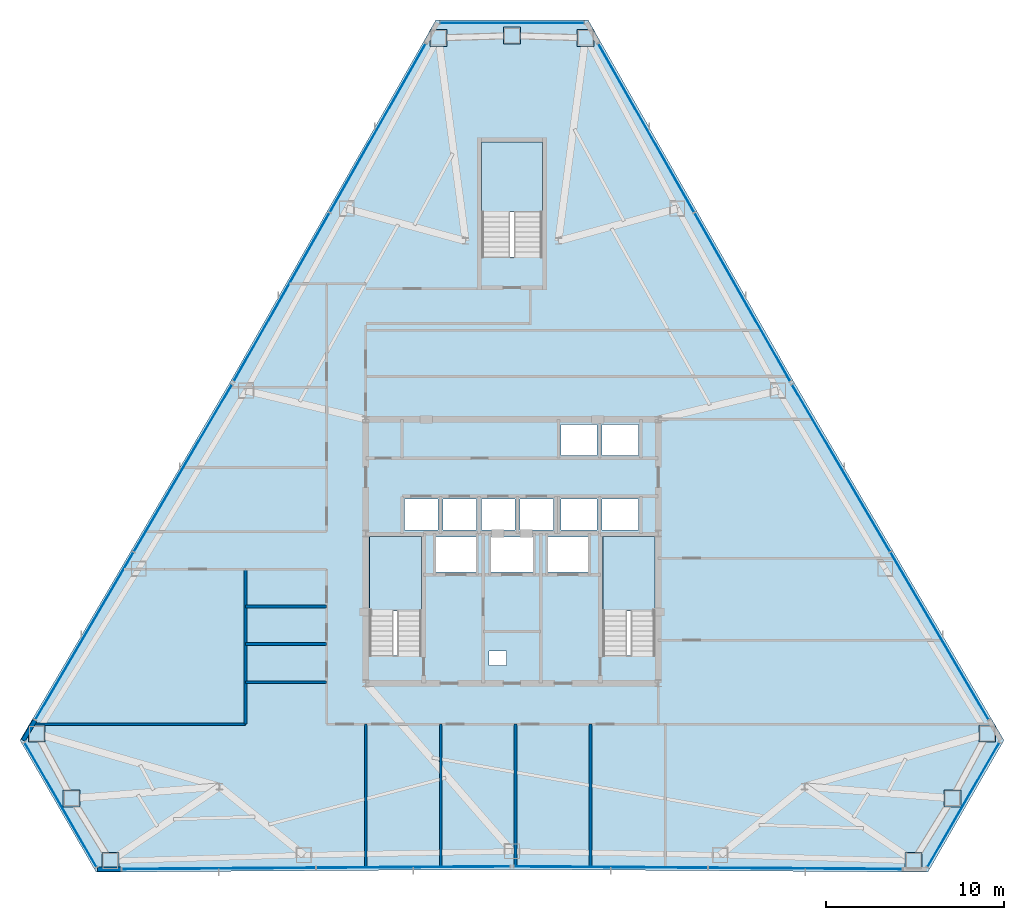
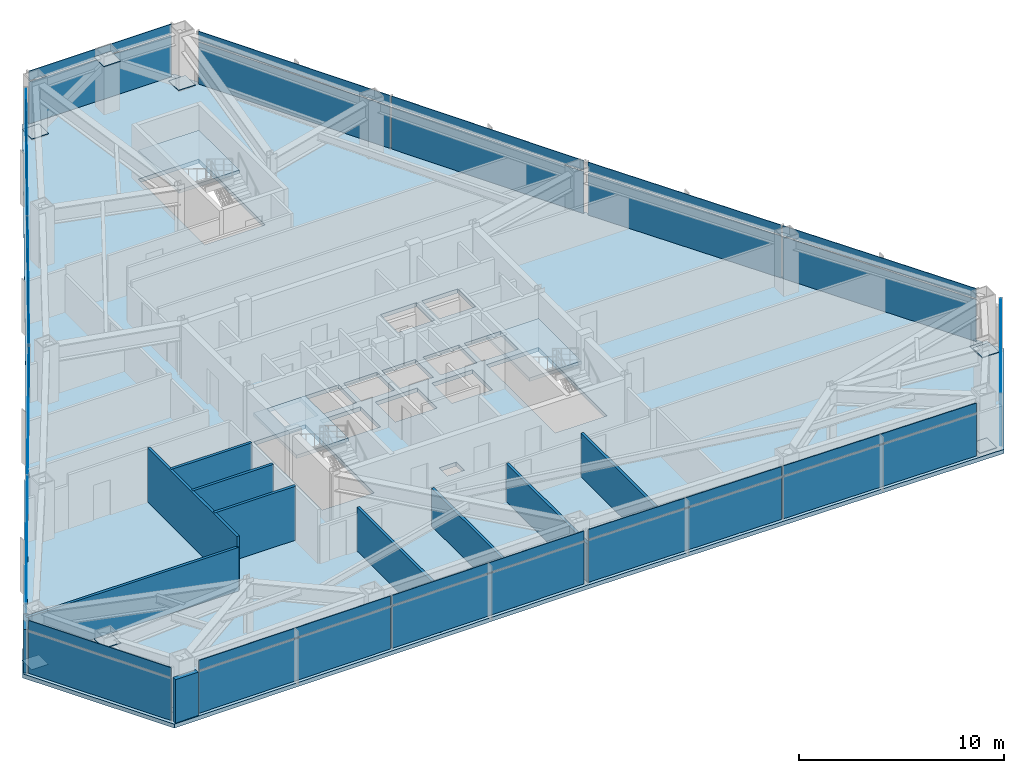
# One storey, part 9 of 13: 39 plates, 11 walls, 4 slabs, 12 elements without a shape of their own.
"""IFC4 building model written with IfcOpenShell, lengths in metres."""

import ifcopenshell
import ifcopenshell.guid

model = None  # the IFC model being written
_history = None  # IfcOwnerHistory: only IFC2X3 demands one
_inside = {}  # id of a spatial element -> (the spatial element, [elements in it])
_under = {}  # id of a project, library or spatial element -> (it, [spatial elements below it])
_declared = {}  # id of a project -> (the project, [libraries it declares])
_typed = {}  # id of a type object -> (the type object, [elements of that type])
_made_of = {}  # id of a material, layer set ... -> (it, [elements and type objects made of it])


def new_model(schema):
    """Start an empty IFC model of exactly this schema.

    Asked for "IFC4X3", IfcOpenShell would pick the latest addendum, in which some entities
    have other attributes; the version numbers below select the first issue.
    IFC2X3 requires an IfcOwnerHistory on every rooted entity: one is made here for all.
    """
    global model, _history
    if schema == "IFC4X3":
        model = ifcopenshell.file(schema_version=(4, 3, 0, 0))
    else:
        model = ifcopenshell.file(schema=schema)
    _inside.clear()
    _under.clear()
    _declared.clear()
    _typed.clear()
    _made_of.clear()
    _history = None
    if model.schema == "IFC2X3":
        org = make("IfcOrganization", Name="unknown")
        user = make(
            "IfcPersonAndOrganization",
            ThePerson=make("IfcPerson", FamilyName="unknown"),
            TheOrganization=org,
        )
        app = make(
            "IfcApplication",
            ApplicationDeveloper=org,
            Version="unknown",
            ApplicationFullName="unknown",
            ApplicationIdentifier="unknown",
        )
        _history = make(
            "IfcOwnerHistory",
            OwningUser=user,
            OwningApplication=app,
            ChangeAction="ADDED",
            CreationDate=0,
        )
    return model


def make(cls, **values):
    """One entity of the class cls with the attributes given. An attribute that is None is left unset."""
    return model.create_entity(
        cls, **{name: value for name, value in values.items() if value is not None}
    )


def rooted(cls, **values):
    """An entity with a GlobalId (a new one), such as an element, a storey or a relation."""
    return make(cls, GlobalId=ifcopenshell.guid.new(), OwnerHistory=_history, **values)


def si_unit(unit_type, name, prefix=None):
    """IfcSIUnit, for example si_unit("LENGTHUNIT", "METRE", prefix="MILLI")."""
    return make("IfcSIUnit", UnitType=unit_type, Prefix=prefix, Name=name)


def assignment(units):
    """IfcUnitAssignment: the units of a project."""
    return None if units is None else make("IfcUnitAssignment", Units=units)


def point(xyz):
    """IfcCartesianPoint."""
    return None if xyz is None else make("IfcCartesianPoint", Coordinates=xyz)


def direction(xyz):
    """IfcDirection."""
    return None if xyz is None else make("IfcDirection", DirectionRatios=xyz)


def frame(location, z_axis=None, x_axis=None):
    """IfcAxis2Placement3D, a coordinate frame: its origin and axes. An axis left out is left unset."""
    return make(
        "IfcAxis2Placement3D",
        Location=point(location),
        Axis=direction(z_axis),
        RefDirection=direction(x_axis),
    )


def frame_2d(location, x_axis=None):
    """IfcAxis2Placement2D, a coordinate frame in the plane: its origin and x axis."""
    return make(
        "IfcAxis2Placement2D", Location=point(location), RefDirection=direction(x_axis)
    )


def origin():
    """The frame at (0, 0, 0) with its axes left unset."""
    return frame((0.0, 0.0, 0.0))


def origin_2d():
    """The frame at (0, 0) in the plane with its x axis left unset."""
    return frame_2d((0.0, 0.0))


def place(relative_to, where):
    """IfcLocalPlacement: puts the frame where relative to a parent placement (None: the world)."""
    return make(
        "IfcLocalPlacement", PlacementRelTo=relative_to, RelativePlacement=where
    )


def context(
    kind, dimensions, precision=None, world=None, true_north=None, identifier=None
):
    """IfcGeometricRepresentationContext, for example the 3D "Model" context."""
    return make(
        "IfcGeometricRepresentationContext",
        ContextIdentifier=identifier,
        ContextType=kind,
        CoordinateSpaceDimension=dimensions,
        Precision=precision,
        WorldCoordinateSystem=world,
        TrueNorth=true_north,
    )


def subcontext(parent, identifier, kind, view, scale=None):
    """IfcGeometricRepresentationSubContext, for example "Body" below "Model"."""
    return make(
        "IfcGeometricRepresentationSubContext",
        ContextIdentifier=identifier,
        ContextType=kind,
        ParentContext=parent,
        TargetScale=scale,
        TargetView=view,
    )


def project(units=None, contexts=None):
    """IfcProject with its units and contexts."""
    return rooted(
        "IfcProject",
        Name="project",
        RepresentationContexts=contexts,
        UnitsInContext=assignment(units),
    )


def spatial(cls, under=None, at=None, **own):
    """A site, building, storey or space (cls), placed at a placement, below another one or the project."""
    s = rooted(cls, ObjectPlacement=at, **own)
    if under is not None:
        _under.setdefault(under.id(), (under, []))[1].append(s)
    return s


def polyline(points):
    """IfcPolyline through the points."""
    return make("IfcPolyline", Points=[point(p) for p in points])


def profile(cls, at=None, kind="AREA", **sizes):
    """A parametric profile (cls). Its sizes go by their IFC names, for example OverallWidth=200.0."""
    return make(cls, ProfileType=kind, Position=at, **sizes)


def rectangle(**sizes):
    """IfcRectangleProfileDef."""
    return profile("IfcRectangleProfileDef", **sizes)


def outline(outer, holes=None, kind="AREA"):
    """IfcArbitraryClosedProfileDef: a profile drawn as a closed curve; with holes, ...WithVoids."""
    if holes is None:
        return make("IfcArbitraryClosedProfileDef", ProfileType=kind, OuterCurve=outer)
    return make(
        "IfcArbitraryProfileDefWithVoids",
        ProfileType=kind,
        OuterCurve=outer,
        InnerCurves=holes,
    )


def extrude(swept, where, along, depth):
    """IfcExtrudedAreaSolid: the profile swept, set in the frame where, extruded along a direction by depth."""
    return make(
        "IfcExtrudedAreaSolid",
        SweptArea=swept,
        Position=where,
        ExtrudedDirection=direction(along),
        Depth=depth,
    )


def shape(context_of_items, identifier, shape_type, items):
    """IfcShapeRepresentation: the items that make up one representation, for example the "Body"."""
    return make(
        "IfcShapeRepresentation",
        ContextOfItems=context_of_items,
        RepresentationIdentifier=identifier,
        RepresentationType=shape_type,
        Items=items,
    )


def source(mapping_origin, context_of_items, identifier, shape_type, items):
    """IfcRepresentationMap: a shape defined once, which mapped items show again and again."""
    return make(
        "IfcRepresentationMap",
        MappingOrigin=mapping_origin,
        MappedRepresentation=shape(context_of_items, identifier, shape_type, items),
    )


def transform(
    local_origin,
    x_axis=None,
    y_axis=None,
    z_axis=None,
    scale=None,
    scale2=None,
    scale3=None,
    uniform=True,
):
    """IfcCartesianTransformationOperator3D, or its non-uniform kind. x_axis, y_axis, z_axis: its Axis1, 2, 3."""
    if uniform:
        return make(
            "IfcCartesianTransformationOperator3D",
            Axis1=direction(x_axis),
            Axis2=direction(y_axis),
            LocalOrigin=point(local_origin),
            Scale=scale,
            Axis3=direction(z_axis),
        )
    return make(
        "IfcCartesianTransformationOperator3DnonUniform",
        Axis1=direction(x_axis),
        Axis2=direction(y_axis),
        LocalOrigin=point(local_origin),
        Scale=scale,
        Axis3=direction(z_axis),
        Scale2=scale2,
        Scale3=scale3,
    )


def mapped(mapping_source, mapping_target):
    """IfcMappedItem: shows the shape of a source again, moved by a transform."""
    return make(
        "IfcMappedItem", MappingSource=mapping_source, MappingTarget=mapping_target
    )


def material(Name=None, Category=None):
    """IfcMaterial."""
    return make("IfcMaterial", Name=Name, Category=Category)


def layer(
    of_material, thickness, ventilated=None, Name=None, Category=None, Priority=None
):
    """IfcMaterialLayer: one layer of a wall or slab, of a material (None: an air gap)."""
    return make(
        "IfcMaterialLayer",
        Material=of_material,
        LayerThickness=thickness,
        IsVentilated=ventilated,
        Name=Name,
        Category=Category,
        Priority=Priority,
    )


def layer_set(layers, Name=None):
    """IfcMaterialLayerSet."""
    return make("IfcMaterialLayerSet", MaterialLayers=layers, LayerSetName=Name)


def made_of(thing, what):
    """Note that an element or type object is made of a material, layer set ...; save() writes the relation."""
    if what is not None:
        _made_of.setdefault(what.id(), (what, []))[1].append(thing)
    return thing


def type_object(cls, material=None, **own):
    """A type object (cls), such as IfcWallType, which elements share."""
    return made_of(rooted(cls, **own), material)


def type_shapes(of_type, sources):
    """Give a type object the sources (RepresentationMaps) that its elements show as mapped items."""
    of_type.RepresentationMaps = sources


def element(
    cls,
    number,
    at=None,
    inside=None,
    cuts=None,
    type_object=None,
    material=None,
    context=None,
    identifier="Body",
    shape_type=None,
    held_by="IfcProductDefinitionShape",
    body=None,
    shapes=None,
    **own,
):
    """One element of the class cls, such as IfcWall. Its Tag is "e" and its number.

    at: its placement. inside: the storey or other place that contains it. cuts: it is an
    opening in that element (IfcRelVoidsElement). A single representation is given by context,
    identifier, shape_type and body (its items); several are given by shapes. held_by: the class
    of the entity that holds the representations. save() writes the other relations.
    """
    e = rooted(cls, Tag="e%d" % number, ObjectPlacement=at, **own)
    if body is not None:
        shapes = [shape(context, identifier, shape_type, body)]
    if shapes is not None:
        e.Representation = make(held_by, Representations=shapes)
    if inside is not None:
        _inside.setdefault(inside.id(), (inside, []))[1].append(e)
    if cuts is not None:
        rooted(
            "IfcRelVoidsElement", RelatingBuildingElement=cuts, RelatedOpeningElement=e
        )
    if type_object is not None:
        _typed.setdefault(type_object.id(), (type_object, []))[1].append(e)
    return made_of(e, material)


def aggregate(whole, parts):
    """IfcRelAggregates: a whole, such as a stair, and the parts it consists of."""
    return rooted("IfcRelAggregates", RelatingObject=whole, RelatedObjects=parts)


def save(model, path):
    """Write the relations noted so far, then the file.

    IfcRelAggregates (storeys below a building ...), IfcRelContainedInSpatialStructure (elements
    in a storey), IfcRelDefinesByType, IfcRelAssociatesMaterial and IfcRelDeclares: one each for
    every whole, place, type object, material and project.
    """
    for whole, parts in _under.values():
        aggregate(whole, parts)
    for where, things in _inside.values():
        rooted(
            "IfcRelContainedInSpatialStructure",
            RelatedElements=things,
            RelatingStructure=where,
        )
    for kind, things in _typed.values():
        rooted("IfcRelDefinesByType", RelatedObjects=things, RelatingType=kind)
    for what, things in _made_of.values():
        rooted("IfcRelAssociatesMaterial", RelatedObjects=things, RelatingMaterial=what)
    for by, libraries in _declared.values():
        rooted("IfcRelDeclares", RelatingContext=by, RelatedDefinitions=libraries)
    model.write(path)


model = new_model("IFC4")

# Units and contexts
model_context = context("Model", 3, precision=1e-05, world=origin(), true_north=direction((0.0, 1.0)))
body_context = subcontext(model_context, "Body", "Model", "MODEL_VIEW")
ifc_project = project(units=[si_unit("LENGTHUNIT", "METRE"), si_unit("AREAUNIT", "SQUARE_METRE"), si_unit("VOLUMEUNIT", "CUBIC_METRE"), si_unit("PLANEANGLEUNIT", "RADIAN"), si_unit("MASSUNIT", "GRAM", prefix="KILO")], contexts=[model_context])

# Site, building, storey
site_placement = place(None, origin())
site = spatial("IfcSite", under=ifc_project, at=site_placement, CompositionType="ELEMENT")
building_placement = place(site_placement, origin())
building = spatial("IfcBuilding", under=site, at=building_placement, Name="Varakhsha Concourse Tower", CompositionType="ELEMENT")
storey_placement = place(building_placement, frame((0.0, 0.0, 133.25)))
storey = spatial("IfcBuildingStorey", under=building, at=storey_placement, Name="L38", CompositionType="ELEMENT", Elevation=133.25)

# Slab
ifc_material_1 = material(Name="Concrete fc 45 MPa", Category="concrete")
ifc_layer_1 = layer(ifc_material_1, 0.239990234375, Name="SL-FLR-240")
ifc_layer_set_1 = layer_set([ifc_layer_1], Name="Concrete fc 45 MPa")
slab_type_1 = type_object("IfcSlabType", Name="SL-FLR-240", PredefinedType="FLOOR", material=ifc_layer_set_1)
slab_1_placement = place(storey_placement, frame((0.0, 0.0, -0.239990234375)))
element("IfcSlab", 1, at=slab_1_placement, inside=storey, type_object=slab_type_1, Name="L38 Composite Structural Slab", PredefinedType="FLOOR", context=body_context, shape_type="SweptSolid", body=[
    extrude(outline(polyline([(44.271484375, 53.6015625), (35.728515625, 53.6015625), (24.2021484375, 33.32080078125), (12.401611328125, 13.198486328125), (16.673095703125, 5.800048828125), (40.0, 5.958251953125), (63.326904296875, 5.800048828125), (67.598388671875, 13.198486328125), (55.7978515625, 33.32080078125), (44.271484375, 53.6015625)]), holes=[polyline([(34.919921875, 17.93994140625), (34.919921875, 24.6298828125), (32.0, 24.6298828125), (32.0, 17.93994140625), (34.919921875, 17.93994140625)]), polyline([(48.02001953125, 17.93994140625), (48.02001953125, 24.6298828125), (45.10009765625, 24.6298828125), (45.10009765625, 17.93994140625), (48.02001953125, 17.93994140625)]), polyline([(41.699951171875, 40.300048828125), (41.699951171875, 46.75), (38.300048828125, 46.75), (38.300048828125, 40.300048828125), (41.699951171875, 40.300048828125)]), polyline([(33.9599609375, 25.0), (35.840087890625, 25.0), (35.840087890625, 26.739990234375), (33.9599609375, 26.739990234375), (33.9599609375, 25.0)]), polyline([(36.1201171875, 25.0), (38.0, 25.0), (38.0, 26.739990234375), (36.1201171875, 26.739990234375), (36.1201171875, 25.0)]), polyline([(38.280029296875, 25.0), (40.159912109375, 25.0), (40.159912109375, 26.739990234375), (38.280029296875, 26.739990234375), (38.280029296875, 25.0)]), polyline([(40.43994140625, 25.0), (42.320068359375, 25.0), (42.320068359375, 26.739990234375), (40.43994140625, 26.739990234375), (40.43994140625, 25.0)]), polyline([(42.739990234375, 29.159912109375), (44.780029296875, 29.159912109375), (44.780029296875, 30.89990234375), (42.739990234375, 30.89990234375), (42.739990234375, 29.159912109375)]), polyline([(45.06005859375, 29.159912109375), (47.10009765625, 29.159912109375), (47.10009765625, 30.89990234375), (45.06005859375, 30.89990234375), (45.06005859375, 29.159912109375)]), polyline([(42.739990234375, 25.0), (44.780029296875, 25.0), (44.780029296875, 26.739990234375), (42.739990234375, 26.739990234375), (42.739990234375, 25.0)]), polyline([(45.06005859375, 25.0), (47.10009765625, 25.0), (47.10009765625, 26.739990234375), (45.06005859375, 26.739990234375), (45.06005859375, 25.0)]), polyline([(35.7099609375, 22.639892578125), (37.989990234375, 22.639892578125), (37.989990234375, 24.60009765625), (35.7099609375, 24.60009765625), (35.7099609375, 22.639892578125)]), polyline([(42.010009765625, 22.639892578125), (44.2900390625, 22.639892578125), (44.2900390625, 24.60009765625), (42.010009765625, 24.60009765625), (42.010009765625, 22.639892578125)]), polyline([(38.81005859375, 22.639892578125), (41.18994140625, 22.639892578125), (41.18994140625, 24.60009765625), (38.81005859375, 24.60009765625), (38.81005859375, 22.639892578125)]), polyline([(38.719970703125, 17.39990234375), (39.679931640625, 17.39990234375), (39.679931640625, 18.199951171875), (38.719970703125, 18.199951171875), (38.719970703125, 17.39990234375)])]), origin(), (0.0, 0.0, 1.0), 0.239990234375),
])

# Stair, slab
stair_type_1 = type_object("IfcStairType", Name="ST-DOGLEG-1360", PredefinedType="HALF_TURN_STAIR", material=ifc_material_1)
stair_1_placement = place(storey_placement, origin())
stair_1 = element("IfcStair", 2, at=stair_1_placement, inside=storey, type_object=stair_type_1, Name="L38 Protected Exit Stair ST1", PredefinedType="HALF_TURN_STAIR")
ifc_layer_2 = layer(ifc_material_1, 0.199951171875, Name="SL-LAND-200")
ifc_layer_set_2 = layer_set([ifc_layer_2], Name="Concrete fc 45 MPa")
slab_type_2 = type_object("IfcSlabType", Name="SL-LAND-200", PredefinedType="LANDING", material=ifc_layer_set_2)
slab_2_placement = place(storey_placement, frame((0.0, 0.0, 1.52490234375)))
slab_2 = element("IfcSlab", 3, at=slab_2_placement, type_object=slab_type_2, Name="ST1 landing 1", PredefinedType="LANDING", context=body_context, shape_type="SweptSolid", body=[
    extrude(outline(polyline([(34.919921875, 20.4599609375), (34.919921875, 24.6298828125), (32.0, 24.6298828125), (32.0, 20.4599609375), (34.919921875, 20.4599609375)])), origin(), (0.0, 0.0, 1.0), 0.2001953125),
])
aggregate(stair_1, [slab_2])

stair_2_placement = place(storey_placement, origin())
stair_2 = element("IfcStair", 4, at=stair_2_placement, inside=storey, type_object=stair_type_1, Name="L38 Protected Exit Stair ST2", PredefinedType="HALF_TURN_STAIR")
slab_3_placement = place(storey_placement, frame((0.0, 0.0, 1.52490234375)))
slab_3 = element("IfcSlab", 5, at=slab_3_placement, type_object=slab_type_2, Name="ST2 landing 1", PredefinedType="LANDING", context=body_context, shape_type="SweptSolid", body=[
    extrude(outline(polyline([(48.02001953125, 20.4599609375), (48.02001953125, 24.6298828125), (45.10009765625, 24.6298828125), (45.10009765625, 20.4599609375), (48.02001953125, 20.4599609375)])), origin(), (0.0, 0.0, 1.0), 0.2001953125),
])
aggregate(stair_2, [slab_3])

stair_type_2 = type_object("IfcStairType", Name="ST-DOGLEG-1600", PredefinedType="HALF_TURN_STAIR", material=ifc_material_1)
stair_3_placement = place(storey_placement, origin())
stair_3 = element("IfcStair", 6, at=stair_3_placement, inside=storey, type_object=stair_type_2, Name="L38 Protected Exit Stair ST5", PredefinedType="HALF_TURN_STAIR")
slab_4_placement = place(storey_placement, frame((0.0, 0.0, 1.52490234375)))
slab_4 = element("IfcSlab", 7, at=slab_4_placement, type_object=slab_type_2, Name="ST5 landing 1", PredefinedType="LANDING", context=body_context, shape_type="SweptSolid", body=[
    extrude(outline(polyline([(41.699951171875, 42.820068359375), (41.699951171875, 46.75), (38.300048828125, 46.75), (38.300048828125, 42.820068359375), (41.699951171875, 42.820068359375)])), origin(), (0.0, 0.0, 1.0), 0.2001953125),
])
aggregate(stair_3, [slab_4])

# Plates
ifc_material_2 = material(Name="Structural Steel ASTM A572 Grade 50", Category="steel")
ifc_layer_3 = layer(ifc_material_2, 0.030029296875, Name="PL-ENDCAP-950")
ifc_layer_set_3 = layer_set([ifc_layer_3], Name="Structural Steel ASTM A572 Grade 50")
plate_type_1 = type_object("IfcPlateType", Name="PL-ENDCAP-950", PredefinedType="USERDEFINED", material=ifc_layer_set_3)
shared_shape_1 = source(origin(), body_context, "Body", "SweptSolid", [
    extrude(rectangle(XDim=0.949951171875, YDim=0.949951171875, at=origin_2d()), origin(), (0.0, 0.0, 1.0), 0.030029296875),
])
type_shapes(plate_type_1, [shared_shape_1])
for number, where, z_axis, x_axis, name in (
    (8, (44.1259765625, 52.60009765625, 0.10498046875), (0.0, 0.0, 1.0), (1.0, 0.0, 0.0), "Hollow Section End Cap GP-NODE-L38-0364"),
    (9, (40.0, 52.7216796875, 2.89501953125), (0.0, 0.0, 1.0), (1.0, 0.0, 0.0), "Hollow Section End Cap GP-NODE-L38-0365"),
    (10, (35.8740234375, 52.60009765625, 0.10498046875), (0.0, 0.0, 1.0), (1.0, 0.0, 0.0), "Hollow Section End Cap GP-NODE-L38-0366"),
    (11, (13.341796875, 13.572998046875, 0.10498046875), (0.0, 0.0, 1.0), (1.0, 0.0, 0.0), "Hollow Section End Cap GP-NODE-L38-0367"),
    (12, (15.299560546875, 9.939208984375, 2.89501953125), (0.0, 0.0, 1.0), (1.0, 0.0, 0.0), "Hollow Section End Cap GP-NODE-L38-0368"),
    (13, (17.4677734375, 6.4267578125, 0.10498046875), (0.0, 0.0, 1.0), (1.0, 0.0, 0.0), "Hollow Section End Cap GP-NODE-L38-0369"),
    (14, (62.5322265625, 6.4267578125, 0.10498046875), (0.0, 0.0, 1.0), (1.0, 0.0, 0.0), "Hollow Section End Cap GP-NODE-L38-0370"),
    (15, (64.700439453125, 9.939208984375, 2.89501953125), (0.0, 0.0, 1.0), (1.0, 0.0, 0.0), "Hollow Section End Cap GP-NODE-L38-0371"),
    (16, (66.658203125, 13.572998046875, 0.10498046875), (0.0, 0.0, 1.0), (1.0, 0.0, 0.0), "Hollow Section End Cap GP-NODE-L38-0372"),
):
    element("IfcPlate", number, at=place(storey_placement, frame(where, z_axis=z_axis, x_axis=x_axis)), inside=storey, type_object=plate_type_1, Name=name, ObjectType="END PLATE", PredefinedType="USERDEFINED", context=body_context, shape_type="MappedRepresentation", body=[
        mapped(shared_shape_1, transform((0.0, 0.0, 0.0), scale=1.0)),
    ])

# Curtain wall, plates
ifc_material_3 = material(Name="Anodised Bronze Architectural Aluminium AA 6063-T6", Category="aluminium")
ifc_layer_4 = layer(ifc_material_3, 0.2099609375, Name="CW-SYS-04")
ifc_layer_set_4 = layer_set([ifc_layer_4], Name="Anodised Bronze Architectural Aluminium AA 6063-T6")
curtain_wall_type = type_object("IfcCurtainWallType", Name="CW-SYS-04", PredefinedType="NOTDEFINED", material=ifc_layer_set_4)
curtain_wall_1_placement = place(storey_placement, origin())
curtain_wall_1 = element("IfcCurtainWall", 17, at=curtain_wall_1_placement, inside=storey, type_object=curtain_wall_type, Name="L38 Crystal Curtain Wall F2", PredefinedType="NOTDEFINED")
ifc_material_4 = material(Name="Low-E Triple Insulating Glass IGU 44 mm", Category="glass")
ifc_layer_5 = layer(ifc_material_4, 0.0439453125, Name="CWP-IGU-44")
ifc_layer_set_5 = layer_set([ifc_layer_5], Name="Low-E Triple Insulating Glass IGU 44 mm")
plate_type_2 = type_object("IfcPlateType", Name="CWP-IGU-44", PredefinedType="CURTAIN_PANEL", material=ifc_layer_set_5)
shared_shape_2 = source(origin(), body_context, "Body", "SweptSolid", [
    extrude(rectangle(XDim=10.834716796875, YDim=0.0439453125, at=origin_2d()), origin(), (0.0, 0.0, 1.0), 2.490966796875),
])
type_shapes(plate_type_2, [shared_shape_2])
plate_1_placement = place(storey_placement, frame((27.0771484375, 38.0556640625, 0.03466796875), z_axis=(0.0, 0.0, 1.0), x_axis=(0.494114858069, 0.8693966339, 0.0)))
plate_1 = element("IfcPlate", 18, at=plate_1_placement, type_object=plate_type_2, Name="CW-L38-F2 Panel 00-00", PredefinedType="CURTAIN_PANEL", context=body_context, shape_type="MappedRepresentation", body=[
    mapped(shared_shape_2, transform((0.0, 0.0, 0.0), scale=1.0)),
])
plate_2_placement = place(storey_placement, frame((32.4697265625, 47.5439453125, 0.03466796875), z_axis=(0.0, 0.0, 1.0), x_axis=(0.494114858069, 0.8693966339, 0.0)))
plate_2 = element("IfcPlate", 19, at=plate_2_placement, type_object=plate_type_2, Name="CW-L38-F2 Panel 01-00", PredefinedType="CURTAIN_PANEL", context=body_context, shape_type="MappedRepresentation", body=[
    mapped(shared_shape_2, transform((0.0, 0.0, 0.0), scale=1.0)),
])

curtain_wall_2_placement = place(storey_placement, origin())
curtain_wall_2 = element("IfcCurtainWall", 20, at=curtain_wall_2_placement, inside=storey, type_object=curtain_wall_type, Name="L38 Crystal Curtain Wall F3", PredefinedType="NOTDEFINED")
plate_3_placement = place(storey_placement, frame((16.018310546875, 19.049560546875, 0.03466796875), z_axis=(0.0, 0.0, 1.0), x_axis=(0.505862141887, 0.862614336424, 0.0)))
plate_3 = element("IfcPlate", 21, at=plate_3_placement, type_object=plate_type_2, Name="CW-L38-F3 Panel 00-00", PredefinedType="CURTAIN_PANEL", context=body_context, shape_type="MappedRepresentation", body=[
    mapped(shared_shape_2, transform((0.0, 0.0, 0.0), scale=1.0)),
])
plate_4_placement = place(storey_placement, frame((21.539306640625, 28.4638671875, 0.03466796875), z_axis=(0.0, 0.0, 1.0), x_axis=(0.505862141887, 0.862614336424, 0.0)))
plate_4 = element("IfcPlate", 22, at=plate_4_placement, type_object=plate_type_2, Name="CW-L38-F3 Panel 01-00", PredefinedType="CURTAIN_PANEL", context=body_context, shape_type="MappedRepresentation", body=[
    mapped(shared_shape_2, transform((0.0, 0.0, 0.0), scale=1.0)),
])

curtain_wall_3_placement = place(storey_placement, origin())
curtain_wall_3 = element("IfcCurtainWall", 23, at=curtain_wall_3_placement, inside=storey, type_object=curtain_wall_type, Name="L38 Crystal Curtain Wall F5", PredefinedType="NOTDEFINED")
plate_5_placement = place(storey_placement, frame((34.462158203125, 6.080810546875, 0.03466796875), z_axis=(0.0, 0.0, 1.0), x_axis=(-0.999976976275, -0.006785788053, 0.0)))
plate_5 = element("IfcPlate", 24, at=plate_5_placement, type_object=plate_type_2, Name="CW-L38-F5 Panel 00-00", PredefinedType="CURTAIN_PANEL", context=body_context, shape_type="MappedRepresentation", body=[
    mapped(shared_shape_2, transform((0.0, 0.0, 0.0), scale=1.0)),
])
plate_6_placement = place(storey_placement, frame((23.548828125, 6.006591796875, 0.03466796875), z_axis=(0.0, 0.0, 1.0), x_axis=(-0.999976976275, -0.006785788053, 0.0)))
plate_6 = element("IfcPlate", 25, at=plate_6_placement, type_object=plate_type_2, Name="CW-L38-F5 Panel 01-00", PredefinedType="CURTAIN_PANEL", context=body_context, shape_type="MappedRepresentation", body=[
    mapped(shared_shape_2, transform((0.0, 0.0, 0.0), scale=1.0)),
])

curtain_wall_4_placement = place(storey_placement, origin())
curtain_wall_4 = element("IfcCurtainWall", 26, at=curtain_wall_4_placement, inside=storey, type_object=curtain_wall_type, Name="L38 Crystal Curtain Wall F6", PredefinedType="NOTDEFINED")
plate_7_placement = place(storey_placement, frame((56.451171875, 6.006591796875, 0.03466796875), z_axis=(0.0, 0.0, 1.0), x_axis=(-0.999976976275, 0.006785788053, 0.0)))
plate_7 = element("IfcPlate", 27, at=plate_7_placement, type_object=plate_type_2, Name="CW-L38-F6 Panel 00-00", PredefinedType="CURTAIN_PANEL", context=body_context, shape_type="MappedRepresentation", body=[
    mapped(shared_shape_2, transform((0.0, 0.0, 0.0), scale=1.0)),
])
plate_8_placement = place(storey_placement, frame((45.537841796875, 6.080810546875, 0.03466796875), z_axis=(0.0, 0.0, 1.0), x_axis=(-0.999976976275, 0.006785788053, 0.0)))
plate_8 = element("IfcPlate", 28, at=plate_8_placement, type_object=plate_type_2, Name="CW-L38-F6 Panel 01-00", PredefinedType="CURTAIN_PANEL", context=body_context, shape_type="MappedRepresentation", body=[
    mapped(shared_shape_2, transform((0.0, 0.0, 0.0), scale=1.0)),
])

curtain_wall_5_placement = place(storey_placement, origin())
curtain_wall_5 = element("IfcCurtainWall", 29, at=curtain_wall_5_placement, inside=storey, type_object=curtain_wall_type, Name="L38 Crystal Curtain Wall F8", PredefinedType="NOTDEFINED")
plate_9_placement = place(storey_placement, frame((58.460693359375, 28.4638671875, 0.03466796875), z_axis=(0.0, 0.0, 1.0), x_axis=(0.505862141887, -0.862614336424, 0.0)))
plate_9 = element("IfcPlate", 30, at=plate_9_placement, type_object=plate_type_2, Name="CW-L38-F8 Panel 00-00", PredefinedType="CURTAIN_PANEL", context=body_context, shape_type="MappedRepresentation", body=[
    mapped(shared_shape_2, transform((0.0, 0.0, 0.0), scale=1.0)),
])
plate_10_placement = place(storey_placement, frame((63.981689453125, 19.049560546875, 0.03466796875), z_axis=(0.0, 0.0, 1.0), x_axis=(0.505862141887, -0.862614336424, 0.0)))
plate_10 = element("IfcPlate", 31, at=plate_10_placement, type_object=plate_type_2, Name="CW-L38-F8 Panel 01-00", PredefinedType="CURTAIN_PANEL", context=body_context, shape_type="MappedRepresentation", body=[
    mapped(shared_shape_2, transform((0.0, 0.0, 0.0), scale=1.0)),
])

curtain_wall_6_placement = place(storey_placement, origin())
curtain_wall_6 = element("IfcCurtainWall", 32, at=curtain_wall_6_placement, inside=storey, type_object=curtain_wall_type, Name="L38 Crystal Curtain Wall F9", PredefinedType="NOTDEFINED")
plate_11_placement = place(storey_placement, frame((47.5302734375, 47.543701171875, 0.03466796875), z_axis=(0.0, 0.0, 1.0), x_axis=(0.494114858069, -0.8693966339, 0.0)))
plate_11 = element("IfcPlate", 33, at=plate_11_placement, type_object=plate_type_2, Name="CW-L38-F9 Panel 00-00", PredefinedType="CURTAIN_PANEL", context=body_context, shape_type="MappedRepresentation", body=[
    mapped(shared_shape_2, transform((0.0, 0.0, 0.0), scale=1.0)),
])
plate_12_placement = place(storey_placement, frame((52.9228515625, 38.055419921875, 0.03466796875), z_axis=(0.0, 0.0, 1.0), x_axis=(0.494114858069, -0.8693966339, 0.0)))
plate_12 = element("IfcPlate", 34, at=plate_12_placement, type_object=plate_type_2, Name="CW-L38-F9 Panel 01-00", PredefinedType="CURTAIN_PANEL", context=body_context, shape_type="MappedRepresentation", body=[
    mapped(shared_shape_2, transform((0.0, 0.0, 0.0), scale=1.0)),
])

# Plate
ifc_material_5 = material(Name="Glazed Turquoise-Bronze Ceramic Spandrel Panel 38 mm", Category="ceramic")
ifc_layer_6 = layer(ifc_material_5, 0.0380859375, Name="CWP-SPN-38")
ifc_layer_set_6 = layer_set([ifc_layer_6], Name="Glazed Turquoise-Bronze Ceramic Spandrel Panel 38 mm")
plate_type_3 = type_object("IfcPlateType", Name="CWP-SPN-38", PredefinedType="USERDEFINED", material=ifc_layer_set_6)
shared_shape_3 = source(origin(), body_context, "Body", "SweptSolid", [
    extrude(rectangle(XDim=10.834716796875, YDim=0.0380859375, at=origin_2d()), origin(), (0.0, 0.0, 1.0), 0.5810546875),
])
plate_13_placement = place(storey_placement, frame((27.0771484375, 38.0556640625, 2.594482421875), z_axis=(0.0, 0.0, 1.0), x_axis=(0.494114858069, 0.8693966339, 0.0)))
plate_13 = element("IfcPlate", 35, at=plate_13_placement, type_object=plate_type_3, Name="CW-L38-F2 Panel 00-01", ObjectType="SPANDREL", PredefinedType="USERDEFINED", context=body_context, shape_type="MappedRepresentation", body=[
    mapped(shared_shape_3, transform((0.0, 0.0, 0.0), scale=1.0)),
])

plate_14_placement = place(storey_placement, frame((32.4697265625, 47.5439453125, 2.594482421875), z_axis=(0.0, 0.0, 1.0), x_axis=(0.494114858069, 0.8693966339, 0.0)))
plate_14 = element("IfcPlate", 36, at=plate_14_placement, type_object=plate_type_3, Name="CW-L38-F2 Panel 01-01", ObjectType="SPANDREL", PredefinedType="USERDEFINED", context=body_context, shape_type="MappedRepresentation", body=[
    mapped(shared_shape_3, transform((0.0, 0.0, 0.0), scale=1.0)),
])

aggregate(curtain_wall_1, [plate_1, plate_13, plate_2, plate_14])

plate_15_placement = place(storey_placement, frame((16.018310546875, 19.049560546875, 2.594482421875), z_axis=(0.0, 0.0, 1.0), x_axis=(0.505862141887, 0.862614336424, 0.0)))
plate_15 = element("IfcPlate", 37, at=plate_15_placement, type_object=plate_type_3, Name="CW-L38-F3 Panel 00-01", ObjectType="SPANDREL", PredefinedType="USERDEFINED", context=body_context, shape_type="MappedRepresentation", body=[
    mapped(shared_shape_3, transform((0.0, 0.0, 0.0), scale=1.0)),
])

plate_16_placement = place(storey_placement, frame((21.539306640625, 28.4638671875, 2.594482421875), z_axis=(0.0, 0.0, 1.0), x_axis=(0.505862141887, 0.862614336424, 0.0)))
plate_16 = element("IfcPlate", 38, at=plate_16_placement, type_object=plate_type_3, Name="CW-L38-F3 Panel 01-01", ObjectType="SPANDREL", PredefinedType="USERDEFINED", context=body_context, shape_type="MappedRepresentation", body=[
    mapped(shared_shape_3, transform((0.0, 0.0, 0.0), scale=1.0)),
])

aggregate(curtain_wall_2, [plate_3, plate_15, plate_4, plate_16])

plate_17_placement = place(storey_placement, frame((34.462158203125, 6.080810546875, 2.594482421875), z_axis=(0.0, 0.0, 1.0), x_axis=(-0.999976976275, -0.006785788053, 0.0)))
plate_17 = element("IfcPlate", 39, at=plate_17_placement, type_object=plate_type_3, Name="CW-L38-F5 Panel 00-01", ObjectType="SPANDREL", PredefinedType="USERDEFINED", context=body_context, shape_type="MappedRepresentation", body=[
    mapped(shared_shape_3, transform((0.0, 0.0, 0.0), scale=1.0)),
])

plate_18_placement = place(storey_placement, frame((23.548828125, 6.006591796875, 2.594482421875), z_axis=(0.0, 0.0, 1.0), x_axis=(-0.999976976275, -0.006785788053, 0.0)))
plate_18 = element("IfcPlate", 40, at=plate_18_placement, type_object=plate_type_3, Name="CW-L38-F5 Panel 01-01", ObjectType="SPANDREL", PredefinedType="USERDEFINED", context=body_context, shape_type="MappedRepresentation", body=[
    mapped(shared_shape_3, transform((0.0, 0.0, 0.0), scale=1.0)),
])

aggregate(curtain_wall_3, [plate_5, plate_17, plate_6, plate_18])

plate_19_placement = place(storey_placement, frame((56.451171875, 6.006591796875, 2.594482421875), z_axis=(0.0, 0.0, 1.0), x_axis=(-0.999976976275, 0.006785788053, 0.0)))
plate_19 = element("IfcPlate", 41, at=plate_19_placement, type_object=plate_type_3, Name="CW-L38-F6 Panel 00-01", ObjectType="SPANDREL", PredefinedType="USERDEFINED", context=body_context, shape_type="MappedRepresentation", body=[
    mapped(shared_shape_3, transform((0.0, 0.0, 0.0), scale=1.0)),
])

plate_20_placement = place(storey_placement, frame((45.537841796875, 6.080810546875, 2.594482421875), z_axis=(0.0, 0.0, 1.0), x_axis=(-0.999976976275, 0.006785788053, 0.0)))
plate_20 = element("IfcPlate", 42, at=plate_20_placement, type_object=plate_type_3, Name="CW-L38-F6 Panel 01-01", ObjectType="SPANDREL", PredefinedType="USERDEFINED", context=body_context, shape_type="MappedRepresentation", body=[
    mapped(shared_shape_3, transform((0.0, 0.0, 0.0), scale=1.0)),
])

aggregate(curtain_wall_4, [plate_7, plate_19, plate_8, plate_20])

plate_21_placement = place(storey_placement, frame((58.460693359375, 28.4638671875, 2.594482421875), z_axis=(0.0, 0.0, 1.0), x_axis=(0.505862141887, -0.862614336424, 0.0)))
plate_21 = element("IfcPlate", 43, at=plate_21_placement, type_object=plate_type_3, Name="CW-L38-F8 Panel 00-01", ObjectType="SPANDREL", PredefinedType="USERDEFINED", context=body_context, shape_type="MappedRepresentation", body=[
    mapped(shared_shape_3, transform((0.0, 0.0, 0.0), scale=1.0)),
])

plate_22_placement = place(storey_placement, frame((63.981689453125, 19.049560546875, 2.594482421875), z_axis=(0.0, 0.0, 1.0), x_axis=(0.505862141887, -0.862614336424, 0.0)))
plate_22 = element("IfcPlate", 44, at=plate_22_placement, type_object=plate_type_3, Name="CW-L38-F8 Panel 01-01", ObjectType="SPANDREL", PredefinedType="USERDEFINED", context=body_context, shape_type="MappedRepresentation", body=[
    mapped(shared_shape_3, transform((0.0, 0.0, 0.0), scale=1.0)),
])

aggregate(curtain_wall_5, [plate_9, plate_21, plate_10, plate_22])

plate_23_placement = place(storey_placement, frame((47.5302734375, 47.543701171875, 2.594482421875), z_axis=(0.0, 0.0, 1.0), x_axis=(0.494114858069, -0.8693966339, 0.0)))
plate_23 = element("IfcPlate", 45, at=plate_23_placement, type_object=plate_type_3, Name="CW-L38-F9 Panel 00-01", ObjectType="SPANDREL", PredefinedType="USERDEFINED", context=body_context, shape_type="MappedRepresentation", body=[
    mapped(shared_shape_3, transform((0.0, 0.0, 0.0), scale=1.0)),
])

plate_24_placement = place(storey_placement, frame((52.9228515625, 38.055419921875, 2.594482421875), z_axis=(0.0, 0.0, 1.0), x_axis=(0.494114858069, -0.8693966339, 0.0)))
plate_24 = element("IfcPlate", 46, at=plate_24_placement, type_object=plate_type_3, Name="CW-L38-F9 Panel 01-01", ObjectType="SPANDREL", PredefinedType="USERDEFINED", context=body_context, shape_type="MappedRepresentation", body=[
    mapped(shared_shape_3, transform((0.0, 0.0, 0.0), scale=1.0)),
])

aggregate(curtain_wall_6, [plate_11, plate_23, plate_12, plate_24])

# Curtain wall, plate
curtain_wall_7_placement = place(storey_placement, origin())
curtain_wall_7 = element("IfcCurtainWall", 47, at=curtain_wall_7_placement, inside=storey, type_object=curtain_wall_type, Name="L38 Chamfer Curtain Wall F1", PredefinedType="NOTDEFINED")
ifc_material_6 = material(Name="Insulated Anodised Bronze Aluminium Spandrel 36 mm", Category="aluminium")
ifc_layer_7 = layer(ifc_material_6, 0.035888671875, Name="CWP-SPN-36")
ifc_layer_set_7 = layer_set([ifc_layer_7], Name="Insulated Anodised Bronze Aluminium Spandrel 36 mm")
plate_type_4 = type_object("IfcPlateType", Name="CWP-SPN-36", PredefinedType="USERDEFINED", material=ifc_layer_set_7)
shared_shape_4 = source(origin(), body_context, "Body", "SweptSolid", [
    extrude(rectangle(XDim=8.02392578125, YDim=0.035888671875, at=origin_2d()), origin(), (0.0, 0.0, 1.0), 2.490966796875),
])
type_shapes(plate_type_4, [shared_shape_4])
plate_25_placement = place(storey_placement, frame((40.0, 53.441650390625, 0.03466796875), z_axis=(0.0, 0.0, 1.0), x_axis=(1.0, 0.0, 0.0)))
plate_25 = element("IfcPlate", 48, at=plate_25_placement, type_object=plate_type_4, Name="CW-L38-F1 Panel 00-00", ObjectType="SPANDREL", PredefinedType="USERDEFINED", context=body_context, shape_type="MappedRepresentation", body=[
    mapped(shared_shape_4, transform((0.0, 0.0, 0.0), scale=1.0)),
])

curtain_wall_8_placement = place(storey_placement, origin())
curtain_wall_8 = element("IfcCurtainWall", 49, at=curtain_wall_8_placement, inside=storey, type_object=curtain_wall_type, Name="L38 Chamfer Curtain Wall F4", PredefinedType="NOTDEFINED")
plate_26_placement = place(storey_placement, frame((14.676025390625, 9.5791015625, 0.03466796875), z_axis=(0.0, 0.0, 1.0), x_axis=(-0.5, 0.866025403784, 0.0)))
plate_26 = element("IfcPlate", 50, at=plate_26_placement, type_object=plate_type_4, Name="CW-L38-F4 Panel 00-00", ObjectType="SPANDREL", PredefinedType="USERDEFINED", context=body_context, shape_type="MappedRepresentation", body=[
    mapped(shared_shape_4, transform((0.0, 0.0, 0.0), scale=1.0)),
])

curtain_wall_9_placement = place(storey_placement, origin())
curtain_wall_9 = element("IfcCurtainWall", 51, at=curtain_wall_9_placement, inside=storey, type_object=curtain_wall_type, Name="L38 Chamfer Curtain Wall F7", PredefinedType="NOTDEFINED")
plate_27_placement = place(storey_placement, frame((65.323974609375, 9.5791015625, 0.03466796875), z_axis=(0.0, 0.0, 1.0), x_axis=(-0.5, -0.866025403784, 0.0)))
plate_27 = element("IfcPlate", 52, at=plate_27_placement, type_object=plate_type_4, Name="CW-L38-F7 Panel 00-00", ObjectType="SPANDREL", PredefinedType="USERDEFINED", context=body_context, shape_type="MappedRepresentation", body=[
    mapped(shared_shape_4, transform((0.0, 0.0, 0.0), scale=1.0)),
])

# Plate
shared_shape_5 = source(origin(), body_context, "Body", "SweptSolid", [
    extrude(rectangle(XDim=8.02392578125, YDim=0.0380859375, at=origin_2d()), origin(), (0.0, 0.0, 1.0), 0.5810546875),
])
type_shapes(plate_type_3, [shared_shape_3, shared_shape_5])
plate_28_placement = place(storey_placement, frame((40.0, 53.441650390625, 2.594482421875), z_axis=(0.0, 0.0, 1.0), x_axis=(1.0, 0.0, 0.0)))
plate_28 = element("IfcPlate", 53, at=plate_28_placement, type_object=plate_type_3, Name="CW-L38-F1 Panel 00-01", ObjectType="SPANDREL", PredefinedType="USERDEFINED", context=body_context, shape_type="MappedRepresentation", body=[
    mapped(shared_shape_5, transform((0.0, 0.0, 0.0), scale=1.0)),
])

aggregate(curtain_wall_7, [plate_25, plate_28])

plate_29_placement = place(storey_placement, frame((14.676025390625, 9.5791015625, 2.594482421875), z_axis=(0.0, 0.0, 1.0), x_axis=(-0.5, 0.866025403784, 0.0)))
plate_29 = element("IfcPlate", 54, at=plate_29_placement, type_object=plate_type_3, Name="CW-L38-F4 Panel 00-01", ObjectType="SPANDREL", PredefinedType="USERDEFINED", context=body_context, shape_type="MappedRepresentation", body=[
    mapped(shared_shape_5, transform((0.0, 0.0, 0.0), scale=1.0)),
])

aggregate(curtain_wall_8, [plate_26, plate_29])

plate_30_placement = place(storey_placement, frame((65.323974609375, 9.5791015625, 2.594482421875), z_axis=(0.0, 0.0, 1.0), x_axis=(-0.5, -0.866025403784, 0.0)))
plate_30 = element("IfcPlate", 55, at=plate_30_placement, type_object=plate_type_3, Name="CW-L38-F7 Panel 00-01", ObjectType="SPANDREL", PredefinedType="USERDEFINED", context=body_context, shape_type="MappedRepresentation", body=[
    mapped(shared_shape_5, transform((0.0, 0.0, 0.0), scale=1.0)),
])

aggregate(curtain_wall_9, [plate_27, plate_30])

# Walls
ifc_layer_8 = layer(ifc_material_1, 0.239990234375, Name="WL-EXT-CRN-240")
ifc_layer_set_8 = layer_set([ifc_layer_8], Name="Concrete fc 45 MPa")
wall_type_1 = type_object("IfcWallType", Name="WL-EXT-CRN-240", PredefinedType="SHEAR", material=ifc_layer_set_8)
for number, where, z_axis, x_axis, name in (
    (56, (13.239013671875, 14.31005859375, 0.0), (0.0, 0.0, 1.0), (-0.50575330013, -0.86267815517, 0.0), "L38 Wind-Corner Shoulder Wall F3"),
    (57, (16.757080078125, 5.960693359375, 0.0), (0.0, 0.0, 1.0), (0.999978318694, 0.006584993632, 0.0), "L38 Wind-Corner Shoulder Wall F5"),
):
    element("IfcWall", number, at=place(storey_placement, frame(where, z_axis=z_axis, x_axis=x_axis)), inside=storey, type_object=wall_type_1, Name=name, PredefinedType="SHEAR", context=body_context, shape_type="SweptSolid", body=[
        extrude(rectangle(XDim=1.297607421875, YDim=0.239990234375, at=frame_2d((0.64892578125, 0.0))), origin(), (0.0, 0.0, 1.0), 2.5830078125),
    ])
ifc_material_7 = material(Name="Fire-Rated Type X Gypsum Partition Assembly", Category="gypsum")
ifc_layer_9 = layer(ifc_material_7, 0.14990234375, Name="WL-PART-150")
ifc_layer_set_9 = layer_set([ifc_layer_9], Name="Fire-Rated Type X Gypsum Partition Assembly")
wall_type_2 = type_object("IfcWallType", Name="WL-PART-150", PredefinedType="PARTITIONING", material=ifc_layer_set_9)
wall_1_placement = place(storey_placement, frame((25.050048828125, 14.10009765625, 0.0), z_axis=(0.0, 0.0, 1.0), x_axis=(0.0, 1.0, 0.0)))
element("IfcWall", 58, at=wall_1_placement, inside=storey, type_object=wall_type_2, Name="L38 Wall C2WC-W-L38", PredefinedType="PARTITIONING", context=body_context, shape_type="SweptSolid", body=[
    extrude(rectangle(XDim=8.699951171875, YDim=0.14990234375, at=frame_2d((4.35009765625, 0.0))), origin(), (0.0, 0.0, 1.0), 3.2099609375),
])
for number, where, z_axis, x_axis, name in (
    (59, (25.050048828125, 16.449951171875, 0.0), (0.0, 0.0, 1.0), (1.0, 0.0, 0.0), "L38 Wall C2WC-S-L38"),
    (60, (25.050048828125, 18.60009765625, 0.0), (0.0, 0.0, 1.0), (1.0, 0.0, 0.0), "L38 Wall C2WC-D1-L38"),
    (61, (25.050048828125, 20.699951171875, 0.0), (0.0, 0.0, 1.0), (1.0, 0.0, 0.0), "L38 Wall C2WC-D2-L38"),
):
    element("IfcWall", number, at=place(storey_placement, frame(where, z_axis=z_axis, x_axis=x_axis)), inside=storey, type_object=wall_type_2, Name=name, PredefinedType="PARTITIONING", context=body_context, shape_type="SweptSolid", body=[
        extrude(rectangle(XDim=4.550048828125, YDim=0.14990234375, at=frame_2d((2.27490234375, 0.0))), origin(), (0.0, 0.0, 1.0), 3.2099609375),
    ])
wall_2_placement = place(storey_placement, frame((31.800048828125, 6.067626953125, 0.0), z_axis=(0.0, 0.0, 1.0), x_axis=(0.0, 1.0, 0.0)))
element("IfcWall", 62, at=wall_2_placement, inside=storey, type_object=wall_type_2, Name="L38 Wall ODIV-S1-L38", PredefinedType="PARTITIONING", context=body_context, shape_type="SweptSolid", body=[
    extrude(rectangle(XDim=8.032470703125, YDim=0.14990234375, at=frame_2d((4.01611328125, 0.0))), origin(), (0.0, 0.0, 1.0), 2.589111328125),
])
wall_3_placement = place(storey_placement, frame((36.0, 6.09619140625, 0.0), z_axis=(0.0, 0.0, 1.0), x_axis=(0.0, 1.0, 0.0)))
element("IfcWall", 63, at=wall_3_placement, inside=storey, type_object=wall_type_2, Name="L38 Wall ODIV-S2-L38", PredefinedType="PARTITIONING", context=body_context, shape_type="SweptSolid", body=[
    extrude(rectangle(XDim=8.00390625, YDim=0.14990234375, at=frame_2d((4.001953125, 0.0))), origin(), (0.0, 0.0, 1.0), 2.251953125),
])
wall_4_placement = place(storey_placement, frame((40.199951171875, 6.121826171875, 0.0), z_axis=(0.0, 0.0, 1.0), x_axis=(0.0, 1.0, 0.0)))
element("IfcWall", 64, at=wall_4_placement, inside=storey, type_object=wall_type_2, Name="L38 Wall ODIV-S3-L38", PredefinedType="PARTITIONING", context=body_context, shape_type="SweptSolid", body=[
    extrude(rectangle(XDim=7.978271484375, YDim=0.14990234375, at=frame_2d((3.9892578125, 0.0))), origin(), (0.0, 0.0, 1.0), 2.251953125),
])
wall_5_placement = place(storey_placement, frame((44.39990234375, 6.093505859375, 0.0), z_axis=(0.0, 0.0, 1.0), x_axis=(0.0, 1.0, 0.0)))
element("IfcWall", 65, at=wall_5_placement, inside=storey, type_object=wall_type_2, Name="L38 Wall ODIV-S4-L38", PredefinedType="PARTITIONING", context=body_context, shape_type="SweptSolid", body=[
    extrude(rectangle(XDim=8.006591796875, YDim=0.14990234375, at=frame_2d((4.00341796875, 0.0))), origin(), (0.0, 0.0, 1.0), 2.589111328125),
])
wall_6_placement = place(storey_placement, frame((13.12158203125, 14.10009765625, 0.0), z_axis=(0.0, 0.0, 1.0), x_axis=(1.0, 0.0, 0.0)))
element("IfcWall", 66, at=wall_6_placement, inside=storey, type_object=wall_type_2, Name="L38 Wall ODIV-SWB-L38", PredefinedType="PARTITIONING", context=body_context, shape_type="SweptSolid", body=[
    extrude(rectangle(XDim=11.928466796875, YDim=0.14990234375, at=frame_2d((5.96435546875, 0.0))), origin(), (0.0, 0.0, 1.0), 2.589111328125),
])

save(model, "model.ifc")
